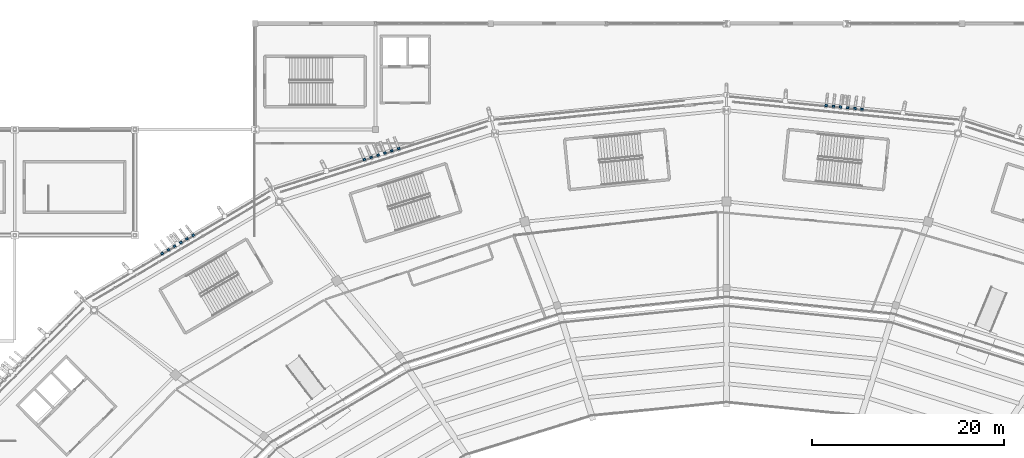
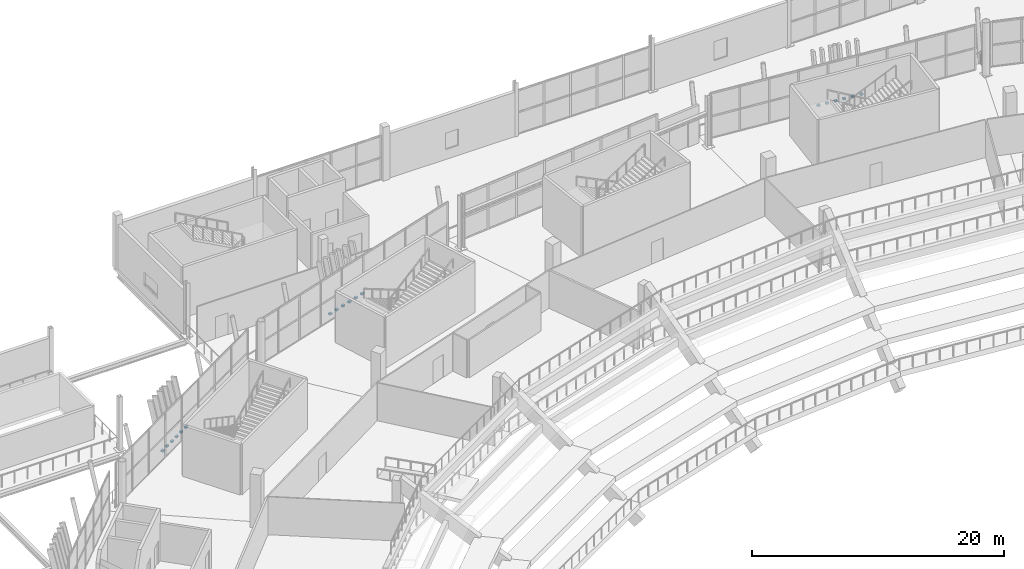
# One storey, part 142 of 178: 18 discrete accessories.
"""IFC4 building model written with IfcOpenShell, lengths in metres."""

from ifc_helpers import new_model, si_unit, direction, frame, origin, origin_2d, place, context, subcontext, project, spatial, rectangle, extrude, material, type_object, element, save


model = new_model("IFC4")

# Units and contexts
model_context = context("Model", 3, precision=1e-05, world=origin(), true_north=direction((0.0, 1.0)))
body_context = subcontext(model_context, "Body", "Model", "MODEL_VIEW")
ifc_project = project(units=[si_unit("LENGTHUNIT", "METRE"), si_unit("AREAUNIT", "SQUARE_METRE"), si_unit("VOLUMEUNIT", "CUBIC_METRE"), si_unit("PLANEANGLEUNIT", "RADIAN"), si_unit("MASSUNIT", "GRAM", prefix="KILO")], contexts=[model_context])

# Site, building, storey
site_placement = place(None, origin())
site = spatial("IfcSite", under=ifc_project, at=site_placement, CompositionType="ELEMENT")
building_placement = place(site_placement, origin())
building = spatial("IfcBuilding", under=site, at=building_placement, Name="Zlatoyarsky Gate Stadium", CompositionType="ELEMENT")
storey_placement = place(building_placement, frame((0.0, 0.0, 5.39990234375)))
storey = spatial("IfcBuildingStorey", under=building, at=storey_placement, Name="L01", CompositionType="ELEMENT", Elevation=5.39990234375)

# Discrete accessories
ifc_material = material(Name="Steel S355", Category="steel")
discrete_accessory_type = type_object("IfcDiscreteAccessoryType", Name="STEEL LOUVRE ANCHOR BRACKET 260X220X160", PredefinedType="BRACKET", material=ifc_material)
for number, where, z_axis, x_axis, name in (
    (1, (125.098388671875, 151.1044921875, -0.02001953125), (0.0, 0.0, 1.0), (-0.994937160272, 0.100498990592, 0.0), "Louvre anchor bracket L01-05-1"),
    (2, (124.352294921875, 151.1796875, -0.02001953125), (0.0, 0.0, 1.0), (-0.994937160272, 0.100498990592, 0.0), "Louvre anchor bracket L01-05-2"),
    (3, (123.60595703125, 151.255126953125, -0.02001953125), (0.0, 0.0, 1.0), (-0.994937160272, 0.100498990592, 0.0), "Louvre anchor bracket L01-05-3"),
    (4, (122.85986328125, 151.33056640625, -0.02001953125), (0.0, 0.0, 1.0), (-0.994937160272, 0.100498990592, 0.0), "Louvre anchor bracket L01-05-4"),
    (5, (122.113525390625, 151.406005859375, -0.02001953125), (0.0, 0.0, 1.0), (-0.994937160272, 0.100498990592, 0.0), "Louvre anchor bracket L01-05-5"),
    (6, (121.367431640625, 151.481201171875, -0.02001953125), (0.0, 0.0, 1.0), (-0.994937160272, 0.100498990592, 0.0), "Louvre anchor bracket L01-05-6"),
    (7, (76.921875, 147.002197265625, -0.02001953125), (0.0, 0.0, 1.0), (-0.953026413851, -0.302887197654, 0.0), "Louvre anchor bracket L01-07-1"),
    (8, (76.207275390625, 146.775146484375, -0.02001953125), (0.0, 0.0, 1.0), (-0.953026413851, -0.302887197654, 0.0), "Louvre anchor bracket L01-07-2"),
    (9, (75.492431640625, 146.5478515625, -0.02001953125), (0.0, 0.0, 1.0), (-0.953026413851, -0.302887197654, 0.0), "Louvre anchor bracket L01-07-3"),
    (10, (74.777587890625, 146.32080078125, -0.02001953125), (0.0, 0.0, 1.0), (-0.953026413851, -0.302887197654, 0.0), "Louvre anchor bracket L01-07-4"),
    (11, (74.062744140625, 146.093505859375, -0.02001953125), (0.0, 0.0, 1.0), (-0.953026413851, -0.302887197654, 0.0), "Louvre anchor bracket L01-07-5"),
    (12, (73.34814453125, 145.866455078125, -0.02001953125), (0.0, 0.0, 1.0), (-0.953026413851, -0.302887197654, 0.0), "Louvre anchor bracket L01-07-6"),
    (13, (55.562744140625, 137.999755859375, -0.02001953125), (0.0, 0.0, 1.0), (-0.86174326276, -0.507344605852, 0.0), "Louvre anchor bracket L01-08-1"),
    (14, (54.91650390625, 137.619140625, -0.02001953125), (0.0, 0.0, 1.0), (-0.86174326276, -0.507344605852, 0.0), "Louvre anchor bracket L01-08-2"),
    (15, (54.270263671875, 137.23876953125, -0.02001953125), (0.0, 0.0, 1.0), (-0.86174326276, -0.507344605852, 0.0), "Louvre anchor bracket L01-08-3"),
    (16, (53.623779296875, 136.858154296875, -0.02001953125), (0.0, 0.0, 1.0), (-0.86174326276, -0.507344605852, 0.0), "Louvre anchor bracket L01-08-4"),
    (17, (52.9775390625, 136.477783203125, -0.02001953125), (0.0, 0.0, 1.0), (-0.86174326276, -0.507344605852, 0.0), "Louvre anchor bracket L01-08-5"),
    (18, (52.331298828125, 136.09716796875, -0.02001953125), (0.0, 0.0, 1.0), (-0.86174326276, -0.507344605852, 0.0), "Louvre anchor bracket L01-08-6"),
):
    element("IfcDiscreteAccessory", number, at=place(storey_placement, frame(where, z_axis=z_axis, x_axis=x_axis)), inside=storey, type_object=discrete_accessory_type, Name=name, PredefinedType="BRACKET", context=body_context, shape_type="SweptSolid", body=[
        extrude(rectangle(XDim=0.260009765625, YDim=0.219970703125, at=origin_2d()), origin(), (0.0, 0.0, 1.0), 0.159912109375),
    ])

save(model, "model.ifc")
